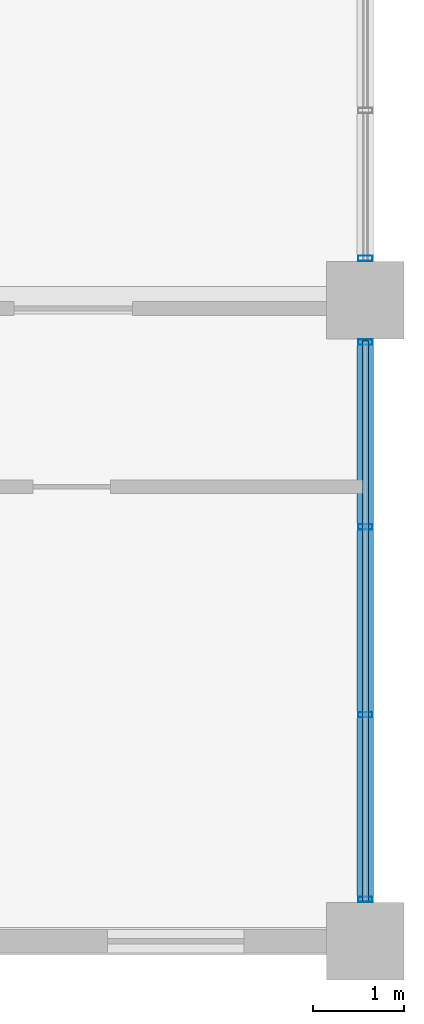
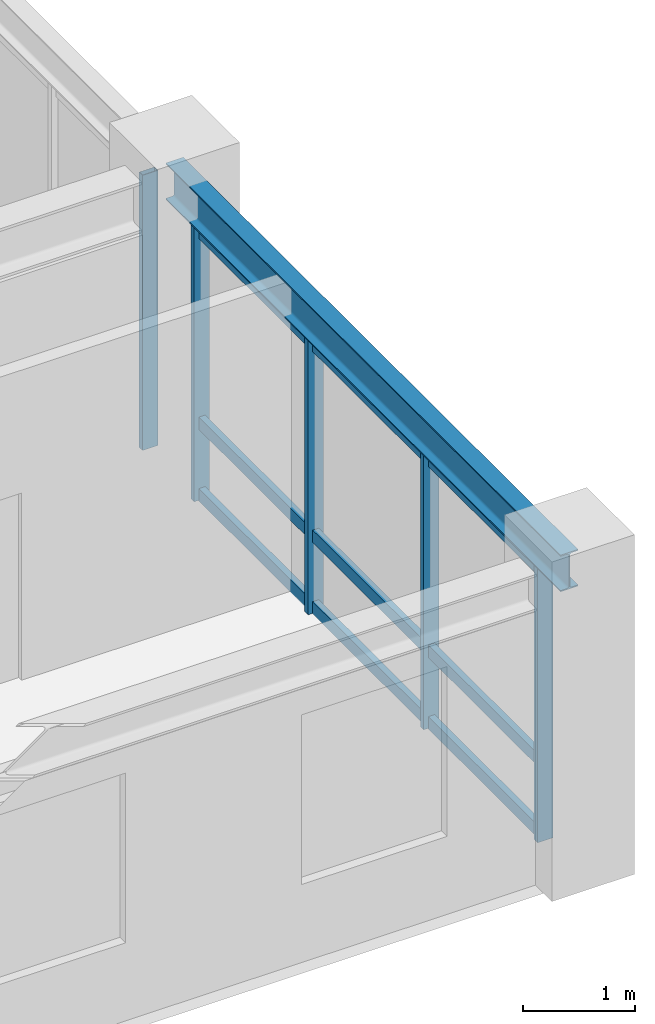
# One storey, part 2 of 10: 8 members, 1 beam, 2 elements without a shape of their own.
"""IFC4 building model written with IfcOpenShell, lengths in metres."""

from ifc_helpers import new_model, si_unit, direction, frame, origin, origin_2d, place, context, subcontext, project, spatial, hollow_rectangle, i_section, extrude, source, transform, mapped, material, layer, layer_set, material_profile, profile_set, type_object, element, aggregate, save


model = new_model("IFC4")

# Units and contexts
model_context = context("Model", 3, precision=1e-05, world=origin(), true_north=direction((0.0, 1.0)))
body_context = subcontext(model_context, "Body", "Model", "MODEL_VIEW")
ifc_project = project(units=[si_unit("LENGTHUNIT", "METRE"), si_unit("AREAUNIT", "SQUARE_METRE"), si_unit("VOLUMEUNIT", "CUBIC_METRE"), si_unit("PLANEANGLEUNIT", "RADIAN"), si_unit("MASSUNIT", "GRAM", prefix="KILO")], contexts=[model_context])

# Site, building, storey
site_placement = place(None, origin())
site = spatial("IfcSite", under=ifc_project, at=site_placement, CompositionType="ELEMENT")
building_placement = place(site_placement, origin())
building = spatial("IfcBuilding", under=site, at=building_placement, Name="Kaliganga Portal Commons", CompositionType="ELEMENT")
storey_placement = place(building_placement, frame((0.0, 0.0, 294.300048828125)))
storey = spatial("IfcBuildingStorey", under=building, at=storey_placement, Name="L76", CompositionType="ELEMENT", Elevation=294.300048828125)

# Beam
ifc_material_1 = material(Name="Structural steel S355J2", Category="steel")
ifc_material_profile_1 = material_profile(ifc_material_1, i_section(OverallWidth=0.179931640625, OverallDepth=0.39990234375, WebThickness=0.008544921875, FlangeThickness=0.013427734375, FilletRadius=0.02099609375, at=origin_2d()), Name="IPE 400")
ifc_profile_set_1 = profile_set([ifc_material_profile_1], Name="Structural steel S355J2 wide-flange")
beam_type = type_object("IfcBeamType", Name="BM-FLR-400", PredefinedType="BEAM", material=ifc_profile_set_1)
shared_shape_1 = source(origin(), body_context, "Body", "SweptSolid", [
    extrude(i_section(OverallWidth=0.179931640625, OverallDepth=0.39990234375, WebThickness=0.008544921875, FlangeThickness=0.013427734375, FilletRadius=0.02099609375, at=origin_2d()), origin(), (0.0, 0.0, 1.0), 7.0498046875),
])
beam_placement = place(storey_placement, frame((46.800048828125, 21.60009765625, 3.199951171875), z_axis=(0.0, 1.0, 0.0), x_axis=(-1.0, 0.0, 0.0)))
element("IfcBeam", 1, at=beam_placement, inside=storey, type_object=beam_type, Name="BM G L76 AS468", PredefinedType="BEAM", context=body_context, shape_type="MappedRepresentation", body=[
    mapped(shared_shape_1, transform((0.0, 0.0, 0.0), x_axis=(1.0, 0.0, 0.0), y_axis=(0.0, 1.0, 0.0), z_axis=(0.0, 0.0, 1.0), scale=1.0)),
])

# Curtain wall, members
ifc_material_2 = material(Name="Anodized Aluminium and Laminated Low-E Glass", Category="aluminium")
ifc_layer = layer(ifc_material_2, 0.18994140625)
ifc_layer_set = layer_set([ifc_layer], Name="Anodized Aluminium and Laminated Low-E Glass")
curtain_wall_type = type_object("IfcCurtainWallType", Name="CW-SYS-05", PredefinedType="NOTDEFINED", material=ifc_layer_set)
curtain_wall_1_placement = place(storey_placement, origin())
curtain_wall_1 = element("IfcCurtainWall", 2, at=curtain_wall_1_placement, inside=storey, type_object=curtain_wall_type, Name="CW 05 L76 P1E01S1", PredefinedType="NOTDEFINED")
ifc_material_3 = material(Name="Dark Bronze Anodized Aluminium", Category="aluminium")
ifc_material_profile_2 = material_profile(ifc_material_3, hollow_rectangle(XDim=0.06494140625, YDim=0.135009765625, WallThickness=0.00341796875, at=origin_2d()), Name="ALU TRAN 65x135x3.5")
ifc_profile_set_2 = profile_set([ifc_material_profile_2], Name="Dark Bronze Anodized Aluminium")
member_type_1 = type_object("IfcMemberType", Name="CW-TRN-135", PredefinedType="USERDEFINED", material=ifc_profile_set_2)
shared_shape_2 = source(origin(), body_context, "Body", "SweptSolid", [
    extrude(hollow_rectangle(XDim=0.06494140625, YDim=0.135009765625, WallThickness=0.00341796875, at=origin_2d()), origin(), (0.0, 0.0, 1.0), 6.158203125),
])
member_1_placement = place(storey_placement, frame((46.800048828125, 22.0458984375, 0.06005859375), z_axis=(0.0, 1.0, 0.0), x_axis=(-1.0, 0.0, 0.0)))
member_1 = element("IfcMember", 3, at=member_1_placement, type_object=member_type_1, Name="CW:05:L76:P1E01S1 Transom 1", ObjectType="TRANSOM", PredefinedType="USERDEFINED", context=body_context, shape_type="MappedRepresentation", body=[
    mapped(shared_shape_2, transform((0.0, 0.0, 0.0), x_axis=(1.0, 0.0, 0.0), y_axis=(0.0, 1.0, 0.0), z_axis=(0.0, 0.0, 1.0), scale=1.0)),
])
member_2_placement = place(storey_placement, frame((46.800048828125, 22.0458984375, 0.83984375), z_axis=(0.0, 1.0, 0.0), x_axis=(-1.0, 0.0, 0.0)))
member_2 = element("IfcMember", 4, at=member_2_placement, type_object=member_type_1, Name="CW:05:L76:P1E01S1 Transom 2", ObjectType="TRANSOM", PredefinedType="USERDEFINED", context=body_context, shape_type="MappedRepresentation", body=[
    mapped(shared_shape_2, transform((0.0, 0.0, 0.0), x_axis=(1.0, 0.0, 0.0), y_axis=(0.0, 1.0, 0.0), z_axis=(0.0, 0.0, 1.0), scale=1.0)),
])
member_3_placement = place(storey_placement, frame((46.800048828125, 22.0458984375, 2.919921875), z_axis=(0.0, 1.0, 0.0), x_axis=(-1.0, 0.0, 0.0)))
member_3 = element("IfcMember", 5, at=member_3_placement, type_object=member_type_1, Name="CW:05:L76:P1E01S1 Transom 3", ObjectType="TRANSOM", PredefinedType="USERDEFINED", context=body_context, shape_type="MappedRepresentation", body=[
    mapped(shared_shape_2, transform((0.0, 0.0, 0.0), x_axis=(1.0, 0.0, 0.0), y_axis=(0.0, 1.0, 0.0), z_axis=(0.0, 0.0, 1.0), scale=1.0)),
])
ifc_material_profile_3 = material_profile(ifc_material_3, hollow_rectangle(XDim=0.06005859375, YDim=0.159912109375, WallThickness=0.00341796875, at=origin_2d()), Name="ALU MULL 60x160x3.5")
ifc_profile_set_3 = profile_set([ifc_material_profile_3], Name="Dark Bronze Anodized Aluminium")
member_type_2 = type_object("IfcMemberType", Name="CW-MUL-160", PredefinedType="MULLION", material=ifc_profile_set_3)
shared_shape_3 = source(origin(), body_context, "Body", "SweptSolid", [
    extrude(hollow_rectangle(XDim=0.06005859375, YDim=0.159912109375, WallThickness=0.00341796875, at=origin_2d()), origin(), (0.0, 0.0, 1.0), 3.0),
])
member_4_placement = place(storey_placement, frame((46.800048828125, 22.06103515625, 0.0), z_axis=(0.0, 0.0, 1.0), x_axis=(0.0, 1.0, 0.0)))
member_4 = element("IfcMember", 6, at=member_4_placement, type_object=member_type_2, Name="CW:05:L76:P1E01S1 Mullion 00", PredefinedType="MULLION", context=body_context, shape_type="MappedRepresentation", body=[
    mapped(shared_shape_3, transform((0.0, 0.0, 0.0), x_axis=(1.0, 0.0, 0.0), y_axis=(0.0, 1.0, 0.0), z_axis=(0.0, 0.0, 1.0), scale=1.0)),
])
member_5_placement = place(storey_placement, frame((46.800048828125, 24.092041015625, 0.0), z_axis=(0.0, 0.0, 1.0), x_axis=(0.0, 1.0, 0.0)))
member_5 = element("IfcMember", 7, at=member_5_placement, type_object=member_type_2, Name="CW:05:L76:P1E01S1 Mullion 01", PredefinedType="MULLION", context=body_context, shape_type="MappedRepresentation", body=[
    mapped(shared_shape_3, transform((0.0, 0.0, 0.0), x_axis=(1.0, 0.0, 0.0), y_axis=(0.0, 1.0, 0.0), z_axis=(0.0, 0.0, 1.0), scale=1.0)),
])
member_6_placement = place(storey_placement, frame((46.800048828125, 26.157958984375, 0.0), z_axis=(0.0, 0.0, 1.0), x_axis=(0.0, 1.0, 0.0)))
member_6 = element("IfcMember", 8, at=member_6_placement, type_object=member_type_2, Name="CW:05:L76:P1E01S1 Mullion 02", PredefinedType="MULLION", context=body_context, shape_type="MappedRepresentation", body=[
    mapped(shared_shape_3, transform((0.0, 0.0, 0.0), x_axis=(1.0, 0.0, 0.0), y_axis=(0.0, 1.0, 0.0), z_axis=(0.0, 0.0, 1.0), scale=1.0)),
])
member_7_placement = place(storey_placement, frame((46.800048828125, 28.18896484375, 0.0), z_axis=(0.0, 0.0, 1.0), x_axis=(0.0, 1.0, 0.0)))
member_7 = element("IfcMember", 9, at=member_7_placement, type_object=member_type_2, Name="CW:05:L76:P1E01S1 Mullion 03", PredefinedType="MULLION", context=body_context, shape_type="MappedRepresentation", body=[
    mapped(shared_shape_3, transform((0.0, 0.0, 0.0), x_axis=(1.0, 0.0, 0.0), y_axis=(0.0, 1.0, 0.0), z_axis=(0.0, 0.0, 1.0), scale=1.0)),
])
aggregate(curtain_wall_1, [member_4, member_5, member_6, member_7, member_1, member_2, member_3])

# Curtain wall, member
curtain_wall_2_placement = place(storey_placement, origin())
curtain_wall_2 = element("IfcCurtainWall", 10, at=curtain_wall_2_placement, inside=storey, type_object=curtain_wall_type, Name="CW 05 L76 P1E01S2", PredefinedType="NOTDEFINED")
member_8_placement = place(storey_placement, frame((46.800048828125, 29.111083984375, 0.0), z_axis=(0.0, 0.0, 1.0), x_axis=(0.0, 1.0, 0.0)))
member_8 = element("IfcMember", 11, at=member_8_placement, type_object=member_type_2, Name="CW:05:L76:P1E01S2 Mullion 00", PredefinedType="MULLION", context=body_context, shape_type="MappedRepresentation", body=[
    mapped(shared_shape_3, transform((0.0, 0.0, 0.0), x_axis=(1.0, 0.0, 0.0), y_axis=(0.0, 1.0, 0.0), z_axis=(0.0, 0.0, 1.0), scale=1.0)),
])
aggregate(curtain_wall_2, [member_8])

save(model, "model.ifc")
